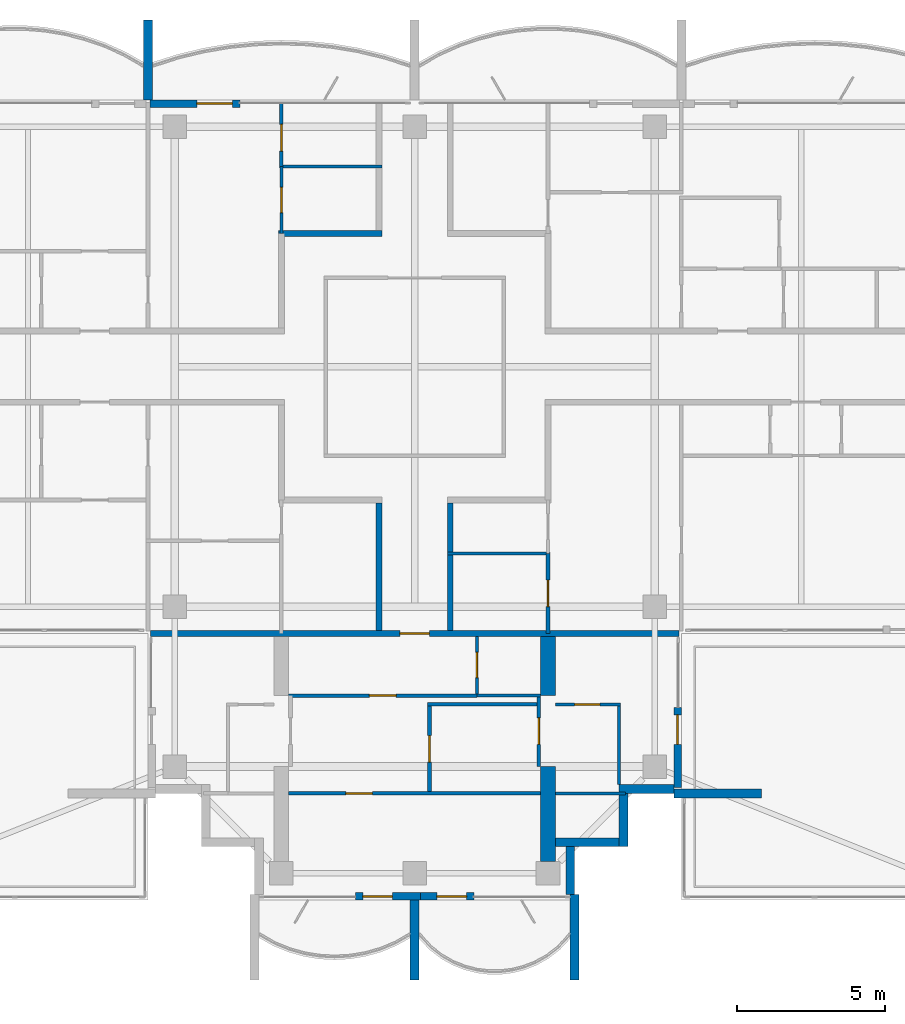
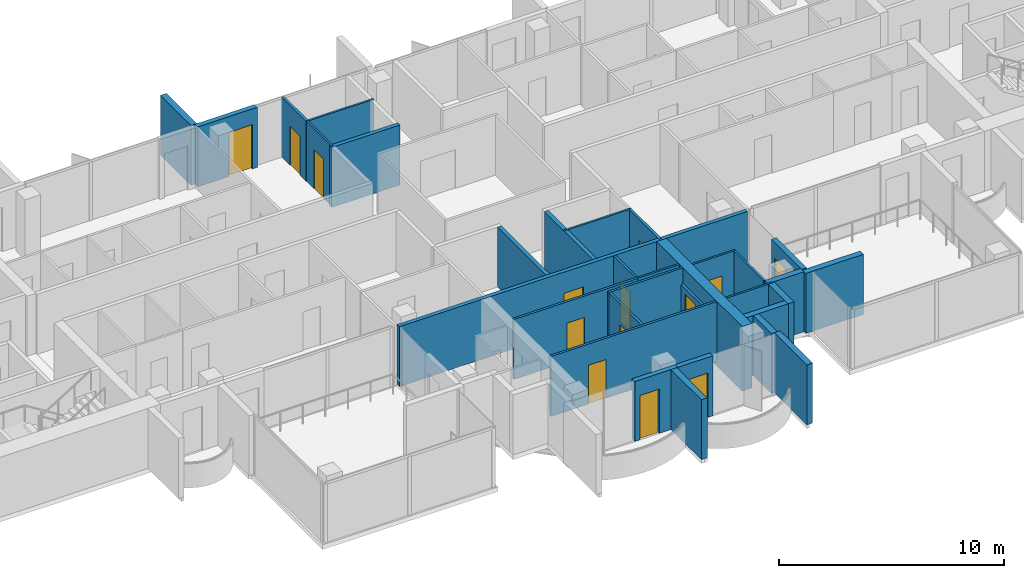
# One storey, part 9 of 16: 32 walls, 14 doors, 14 openings.
"""IFC4 building model written with IfcOpenShell, lengths in metres."""

from ifc_helpers import new_model, si_unit, direction, frame, frame_2d, origin, place, context, subcontext, project, spatial, polyline, rectangle, outline, extrude, material, layer, layer_set, material_profile, profile_set, type_object, element, fill, save


model = new_model("IFC4")

# Units and contexts
model_context = context("Model", 3, precision=1e-05, world=origin(), true_north=direction((0.0, 1.0)))
body_context = subcontext(model_context, "Body", "Model", "MODEL_VIEW")
ifc_project = project(units=[si_unit("LENGTHUNIT", "METRE"), si_unit("AREAUNIT", "SQUARE_METRE"), si_unit("VOLUMEUNIT", "CUBIC_METRE"), si_unit("PLANEANGLEUNIT", "RADIAN"), si_unit("MASSUNIT", "GRAM", prefix="KILO")], contexts=[model_context])

# Site, building, storey
site_placement = place(None, origin())
site = spatial("IfcSite", under=ifc_project, at=site_placement, CompositionType="ELEMENT")
building_placement = place(site_placement, origin())
building = spatial("IfcBuilding", under=site, at=building_placement, Name="Perihelion Cross Residences", CompositionType="ELEMENT")
storey_placement = place(building_placement, frame((0.0, 0.0, 274.5)))
storey = spatial("IfcBuildingStorey", under=building, at=storey_placement, Name="L70", CompositionType="ELEMENT", Elevation=274.5)

# Walls
ifc_material_1 = material(Name="Plasterboard partition")
ifc_layer_1 = layer(ifc_material_1, 0.199951171875)
ifc_layer_set_1 = layer_set([ifc_layer_1], Name="Apartment separation wall 200")
wall_type_1 = type_object("IfcWallType", Name="Apartment separation wall 200", PredefinedType="PARTITIONING", material=ifc_layer_set_1)
wall_1_placement = place(storey_placement, frame((1.199951171875, -4.60009765625, 0.0), z_axis=(0.0, 0.0, 1.0), x_axis=(0.0, -1.0, 0.0)))
element("IfcWall", 1, at=wall_1_placement, inside=storey, type_object=wall_type_1, Name="Partition L70 W012", PredefinedType="PARTITIONING", context=body_context, shape_type="SweptSolid", body=[
    extrude(rectangle(XDim=4.2998046875, YDim=0.199951171875, at=frame_2d((2.14990234375, 0.0))), origin(), (0.0, 0.0, 1.0), 3.25),
])
wall_2_placement = place(storey_placement, frame((-4.60009765625, 4.5, 0.0), z_axis=(0.0, 0.0, 1.0), x_axis=(1.0, 0.0, 0.0)))
element("IfcWall", 2, at=wall_2_placement, inside=storey, type_object=wall_type_1, Name="Partition L70 W015", PredefinedType="PARTITIONING", context=body_context, shape_type="SweptSolid", body=[
    extrude(rectangle(XDim=3.5, YDim=0.199951171875, at=frame_2d((1.75, 0.0))), origin(), (0.0, 0.0, 1.0), 3.25),
])
wall_3_placement = place(storey_placement, frame((-1.199951171875, -8.89990234375, 0.0), z_axis=(0.0, 0.0, 1.0), x_axis=(0.0, 1.0, 0.0)))
element("IfcWall", 3, at=wall_3_placement, inside=storey, type_object=wall_type_1, Name="Partition L70 W019", PredefinedType="PARTITIONING", context=body_context, shape_type="SweptSolid", body=[
    extrude(rectangle(XDim=4.2998046875, YDim=0.199951171875, at=frame_2d((2.14990234375, 0.0))), origin(), (0.0, 0.0, 1.0), 3.25),
])

# Wall, opening, door
wall_4_placement = place(storey_placement, frame((8.919921875, -9.0, 0.0), z_axis=(0.0, 0.0, 1.0), x_axis=(-1.0, 0.0, 0.0)))
wall_4 = element("IfcWall", 4, at=wall_4_placement, inside=storey, type_object=wall_type_1, Name="Partition L70 W021", PredefinedType="PARTITIONING", context=body_context, shape_type="SweptSolid", body=[
    extrude(rectangle(XDim=17.83984375, YDim=0.199951171875, at=frame_2d((8.919921875, 0.0))), origin(), (0.0, 0.0, 1.0), 3.25),
])
opening_1_placement = place(wall_4_placement, frame((8.419921875, 0.0, 0.0)))
opening_1 = element("IfcOpeningElement", 5, at=opening_1_placement, cuts=wall_4, Name="Opening L70.A35", PredefinedType="OPENING", context=body_context, shape_type="SweptSolid", body=[
    extrude(rectangle(XDim=1.0, YDim=2.10009765625, at=frame_2d((0.5, 1.050048828125))), frame((0.0, 0.10986328125, 0.0), z_axis=(0.0, -1.0, 0.0), x_axis=(1.0, 0.0, 0.0)), (0.0, 0.0, 1.0), 0.219970703125),
])
ifc_material_2 = material(Name="Timber door leaf", Category="wood")
door_type_1 = type_object("IfcDoorType", Name="Flat entrance door 1000 x 2100", OperationType="SINGLE_SWING_LEFT", PredefinedType="DOOR", material=ifc_material_2)
door_1_placement = place(opening_1_placement, origin())
door_1 = element("IfcDoor", 6, at=door_1_placement, inside=storey, type_object=door_type_1, Name="Door L70.A35", OperationType="SINGLE_SWING_LEFT", OverallHeight=2.10009765625, OverallWidth=1.0, PredefinedType="DOOR", context=body_context, shape_type="SweptSolid", body=[
    extrude(rectangle(XDim=1.0, YDim=2.10009765625, at=frame_2d((0.5, 1.050048828125))), frame((0.0, 0.02490234375, 0.0), z_axis=(0.0, -1.0, 0.0), x_axis=(1.0, 0.0, 0.0)), (0.0, 0.0, 1.0), 0.050048828125),
])
fill(opening_1, door_1)

ifc_material_3 = material(Name="Concrete C30/37, bronze-clad", Category="concrete")
ifc_layer_2 = layer(ifc_material_3, 0.25)
ifc_layer_set_2 = layer_set([ifc_layer_2], Name="Bronze-clad pier wall 250")
wall_type_2 = type_object("IfcWallType", Name="Bronze-clad pier wall 250", PredefinedType="SOLIDWALL", material=ifc_layer_set_2)
wall_5_placement = place(storey_placement, frame((-5.89990234375, 8.875, 0.0), z_axis=(0.0, 0.0, 1.0), x_axis=(-1.0, 0.0, 0.0)))
wall_5 = element("IfcWall", 7, at=wall_5_placement, inside=storey, type_object=wall_type_2, Name="Wall FW1 L70 north side east bay 2 pier", PredefinedType="SOLIDWALL", context=body_context, shape_type="SweptSolid", body=[
    extrude(rectangle(XDim=3.0400390625, YDim=0.25, at=frame_2d((1.52001953125, 0.0))), origin(), (0.0, 0.0, 1.0), 3.25),
])
opening_2_placement = place(wall_5_placement, frame((0.25, 0.0, 0.0)))
opening_2 = element("IfcOpeningElement", 8, at=opening_2_placement, cuts=wall_5, Name="Opening L70.E04", PredefinedType="OPENING", context=body_context, shape_type="SweptSolid", body=[
    extrude(rectangle(XDim=1.199951171875, YDim=2.39990234375, at=frame_2d((0.60009765625, 1.199951171875))), frame((0.0, 0.135009765625, 0.0), z_axis=(0.0, -1.0, 0.0), x_axis=(1.0, 0.0, 0.0)), (0.0, 0.0, 1.0), 0.27001953125),
])
ifc_material_4 = material(Name="Bronze anodised aluminium, glazed", Category="aluminium")
door_type_2 = type_object("IfcDoorType", Name="Balcony door 1200 x 2400", OperationType="NOTDEFINED", PredefinedType="DOOR", material=ifc_material_4)
door_2_placement = place(opening_2_placement, origin())
door_2 = element("IfcDoor", 9, at=door_2_placement, inside=storey, type_object=door_type_2, Name="Door L70.E04 north side east bay 2", OperationType="SINGLE_SWING_RIGHT", OverallHeight=2.39990234375, OverallWidth=1.199951171875, PredefinedType="DOOR", context=body_context, shape_type="SweptSolid", body=[
    extrude(rectangle(XDim=1.199951171875, YDim=2.39990234375, at=frame_2d((0.60009765625, 1.199951171875))), frame((0.0, 0.02490234375, 0.0), z_axis=(0.0, -1.0, 0.0), x_axis=(1.0, 0.0, 0.0)), (0.0, 0.0, 1.0), 0.050048828125),
])
fill(opening_2, door_2)

wall_6_placement = place(storey_placement, frame((-2.0, -17.875, 0.0), z_axis=(0.0, 0.0, 1.0), x_axis=(1.0, 0.0, 0.0)))
wall_6 = element("IfcWall", 10, at=wall_6_placement, inside=storey, type_object=wall_type_2, Name="Wall FW1 L70 south tip south bay 1 pier", PredefinedType="SOLIDWALL", context=body_context, shape_type="SweptSolid", body=[
    extrude(rectangle(XDim=2.199951171875, YDim=0.25, at=frame_2d((1.10009765625, 0.0))), origin(), (0.0, 0.0, 1.0), 3.25),
])
opening_3_placement = place(wall_6_placement, frame((0.25, 0.0, 0.0)))
opening_3 = element("IfcOpeningElement", 11, at=opening_3_placement, cuts=wall_6, Name="Opening L70.E10", PredefinedType="OPENING", context=body_context, shape_type="SweptSolid", body=[
    extrude(rectangle(XDim=1.0, YDim=2.39990234375, at=frame_2d((0.5, 1.199951171875))), frame((0.0, 0.135009765625, 0.0), z_axis=(0.0, -1.0, 0.0), x_axis=(1.0, 0.0, 0.0)), (0.0, 0.0, 1.0), 0.27001953125),
])
ifc_material_5 = material(Name="Bronze anodised aluminium, glazed", Category="aluminium")
door_type_3 = type_object("IfcDoorType", Name="Balcony door 1000 x 2400", OperationType="NOTDEFINED", PredefinedType="DOOR", material=ifc_material_5)
door_3_placement = place(opening_3_placement, origin())
door_3 = element("IfcDoor", 12, at=door_3_placement, inside=storey, type_object=door_type_3, Name="Door L70.E10 south tip south bay 1", OperationType="SINGLE_SWING_RIGHT", OverallHeight=2.39990234375, OverallWidth=1.0, PredefinedType="DOOR", context=body_context, shape_type="SweptSolid", body=[
    extrude(rectangle(XDim=1.0, YDim=2.39990234375, at=frame_2d((0.5, 1.199951171875))), frame((0.0, 0.02490234375, 0.0), z_axis=(0.0, -1.0, 0.0), x_axis=(1.0, 0.0, 0.0)), (0.0, 0.0, 1.0), 0.050048828125),
])
fill(opening_3, door_3)

wall_7_placement = place(storey_placement, frame((0.199951171875, -17.875, 0.0), z_axis=(0.0, 0.0, 1.0), x_axis=(1.0, 0.0, 0.0)))
wall_7 = element("IfcWall", 13, at=wall_7_placement, inside=storey, type_object=wall_type_2, Name="Wall FW1 L70 south tip south bay 2 pier", PredefinedType="SOLIDWALL", context=body_context, shape_type="SweptSolid", body=[
    extrude(rectangle(XDim=1.800048828125, YDim=0.25, at=frame_2d((0.89990234375, 0.0))), origin(), (0.0, 0.0, 1.0), 3.25),
])
opening_4_placement = place(wall_7_placement, frame((0.550048828125, 0.0, 0.0)))
opening_4 = element("IfcOpeningElement", 14, at=opening_4_placement, cuts=wall_7, Name="Opening L70.E11", PredefinedType="OPENING", context=body_context, shape_type="SweptSolid", body=[
    extrude(rectangle(XDim=1.0, YDim=2.39990234375, at=frame_2d((0.5, 1.199951171875))), frame((0.0, 0.135009765625, 0.0), z_axis=(0.0, -1.0, 0.0), x_axis=(1.0, 0.0, 0.0)), (0.0, 0.0, 1.0), 0.27001953125),
])
door_4_placement = place(opening_4_placement, origin())
door_4 = element("IfcDoor", 15, at=door_4_placement, inside=storey, type_object=door_type_3, Name="Door L70.E11 south tip south bay 2", OperationType="SINGLE_SWING_LEFT", OverallHeight=2.39990234375, OverallWidth=1.0, PredefinedType="DOOR", context=body_context, shape_type="SweptSolid", body=[
    extrude(rectangle(XDim=1.0, YDim=2.39990234375, at=frame_2d((0.5, 1.199951171875))), frame((0.0, 0.02490234375, 0.0), z_axis=(0.0, -1.0, 0.0), x_axis=(1.0, 0.0, 0.0)), (0.0, 0.0, 1.0), 0.050048828125),
])
fill(opening_4, door_4)

wall_8_placement = place(storey_placement, frame((8.875, -14.199951171875, 0.0), z_axis=(0.0, 0.0, 1.0), x_axis=(0.0, 1.0, 0.0)))
wall_8 = element("IfcWall", 16, at=wall_8_placement, inside=storey, type_object=wall_type_2, Name="Wall FW1 L70 south side east bay 1 pier", PredefinedType="SOLIDWALL", context=body_context, shape_type="SweptSolid", body=[
    extrude(rectangle(XDim=2.699951171875, YDim=0.25, at=frame_2d((1.35009765625, 0.0))), origin(), (0.0, 0.0, 1.0), 3.25),
])
opening_5_placement = place(wall_8_placement, frame((1.449951171875, 0.0, 0.0)))
opening_5 = element("IfcOpeningElement", 17, at=opening_5_placement, cuts=wall_8, Name="Opening L70.E12", PredefinedType="OPENING", context=body_context, shape_type="SweptSolid", body=[
    extrude(rectangle(XDim=1.0, YDim=2.39990234375, at=frame_2d((0.5, 1.199951171875))), frame((0.0, 0.135009765625, 0.0), z_axis=(0.0, -1.0, 0.0), x_axis=(1.0, 0.0, 0.0)), (0.0, 0.0, 1.0), 0.27001953125),
])
door_5_placement = place(opening_5_placement, origin())
door_5 = element("IfcDoor", 18, at=door_5_placement, inside=storey, type_object=door_type_3, Name="Door L70.E12 south side east bay 1", OperationType="SINGLE_SWING_RIGHT", OverallHeight=2.39990234375, OverallWidth=1.0, PredefinedType="DOOR", context=body_context, shape_type="SweptSolid", body=[
    extrude(rectangle(XDim=1.0, YDim=2.39990234375, at=frame_2d((0.5, 1.199951171875))), frame((0.0, 0.02490234375, 0.0), z_axis=(0.0, -1.0, 0.0), x_axis=(1.0, 0.0, 0.0)), (0.0, 0.0, 1.0), 0.050048828125),
])
fill(opening_5, door_5)

# Walls
ifc_material_6 = material(Name="Concrete C30/37, bronze-clad", Category="concrete")
ifc_layer_3 = layer(ifc_material_6, 0.300048828125)
ifc_layer_set_3 = layer_set([ifc_layer_3], Name="Bronze-clad serration wall 300")
wall_type_3 = type_object("IfcWallType", Name="Bronze-clad serration wall 300", PredefinedType="SOLIDWALL", material=ifc_layer_set_3)
wall_9_placement = place(storey_placement, frame((5.25, -17.820068359375, 0.0), z_axis=(0.0, 0.0, 1.0), x_axis=(0.0, 1.0, 0.0)))
element("IfcWall", 19, at=wall_9_placement, inside=storey, type_object=wall_type_3, Name="Wall SR1 L70 south corner south-east 1", PredefinedType="SOLIDWALL", context=body_context, shape_type="SweptSolid", body=[
    extrude(rectangle(XDim=1.6201171875, YDim=0.300048828125, at=frame_2d((0.81005859375, 0.0))), origin(), (0.0, 0.0, 1.0), 3.25),
])
wall_10_placement = place(storey_placement, frame((4.75, -16.050048828125, 0.0), z_axis=(0.0, 0.0, 1.0), x_axis=(1.0, 0.0, 0.0)))
element("IfcWall", 20, at=wall_10_placement, inside=storey, type_object=wall_type_3, Name="Wall SR1 L70 south corner south-east 2", PredefinedType="SOLIDWALL", context=body_context, shape_type="SweptSolid", body=[
    extrude(rectangle(XDim=2.14990234375, YDim=0.300048828125, at=frame_2d((1.074951171875, 0.0))), origin(), (0.0, 0.0, 1.0), 3.25),
])
wall_11_placement = place(storey_placement, frame((7.050048828125, -16.199951171875, 0.0), z_axis=(0.0, 0.0, 1.0), x_axis=(0.0, 1.0, 0.0)))
element("IfcWall", 21, at=wall_11_placement, inside=storey, type_object=wall_type_3, Name="Wall SR1 L70 south corner south-east 3", PredefinedType="SOLIDWALL", context=body_context, shape_type="SweptSolid", body=[
    extrude(rectangle(XDim=1.800048828125, YDim=0.300048828125, at=frame_2d((0.89990234375, 0.0))), origin(), (0.0, 0.0, 1.0), 3.25),
])
wall_12_placement = place(storey_placement, frame((6.89990234375, -14.25, 0.0), z_axis=(0.0, 0.0, 1.0), x_axis=(1.0, 0.0, 0.0)))
element("IfcWall", 22, at=wall_12_placement, inside=storey, type_object=wall_type_3, Name="Wall SR1 L70 south corner south-east 4", PredefinedType="SOLIDWALL", context=body_context, shape_type="SweptSolid", body=[
    extrude(rectangle(XDim=1.85009765625, YDim=0.300048828125, at=frame_2d((0.925048828125, 0.0))), origin(), (0.0, 0.0, 1.0), 3.25),
])

# Wall, opening, door
ifc_material_7 = material(Name="Plasterboard partition")
ifc_layer_4 = layer(ifc_material_7, 0.1201171875)
ifc_layer_set_4 = layer_set([ifc_layer_4], Name="Infill panel 120")
wall_type_4 = type_object("IfcWallType", Name="Infill panel 120", PredefinedType="PARTITIONING", material=ifc_layer_set_4)
wall_13_placement = place(storey_placement, frame((4.18994140625, -11.10009765625, 0.0), z_axis=(0.0, 0.0, 1.0), x_axis=(0.0, -1.0, 0.0)))
wall_13 = element("IfcWall", 23, at=wall_13_placement, inside=storey, type_object=wall_type_4, Name="Partition L70 WI01", PredefinedType="PARTITIONING", context=body_context, shape_type="SweptSolid", body=[
    extrude(rectangle(XDim=2.39990234375, YDim=0.1201171875, at=frame_2d((1.199951171875, 0.0))), origin(), (0.0, 0.0, 1.0), 2.39990234375),
])
opening_6_placement = place(wall_13_placement, frame((0.75, 0.0, 0.0)))
opening_6 = element("IfcOpeningElement", 24, at=opening_6_placement, cuts=wall_13, Name="Opening L70.A46", PredefinedType="OPENING", context=body_context, shape_type="SweptSolid", body=[
    extrude(rectangle(XDim=0.89990234375, YDim=2.10009765625, at=frame_2d((0.449951171875, 1.050048828125))), frame((0.0, 0.070068359375, 0.0), z_axis=(0.0, -1.0, 0.0), x_axis=(1.0, 0.0, 0.0)), (0.0, 0.0, 1.0), 0.14013671875),
])
ifc_material_8 = material(Name="Timber door leaf", Category="wood")
door_type_4 = type_object("IfcDoorType", Name="Interior room door 900 x 2100", OperationType="SINGLE_SWING_LEFT", PredefinedType="DOOR", material=ifc_material_8)
door_6_placement = place(opening_6_placement, origin())
door_6 = element("IfcDoor", 25, at=door_6_placement, inside=storey, type_object=door_type_4, Name="Door L70.A46", OperationType="SINGLE_SWING_LEFT", OverallHeight=2.10009765625, OverallWidth=0.89990234375, PredefinedType="DOOR", context=body_context, shape_type="SweptSolid", body=[
    extrude(rectangle(XDim=0.89990234375, YDim=2.10009765625, at=frame_2d((0.449951171875, 1.050048828125))), frame((0.0, 0.02490234375, 0.0), z_axis=(0.0, -1.0, 0.0), x_axis=(1.0, 0.0, 0.0)), (0.0, 0.0, 1.0), 0.050048828125),
])
fill(opening_6, door_6)

ifc_material_9 = material(Name="Plasterboard partition")
ifc_layer_5 = layer(ifc_material_9, 0.1201171875)
ifc_layer_set_5 = layer_set([ifc_layer_5], Name="Partition wall 120")
wall_type_5 = type_object("IfcWallType", Name="Partition wall 120", PredefinedType="PARTITIONING", material=ifc_layer_set_5)
wall_14_placement = place(storey_placement, frame((4.5, -9.0, 0.0), z_axis=(0.0, 0.0, 1.0), x_axis=(0.0, 1.0, 0.0)))
wall_14 = element("IfcWall", 26, at=wall_14_placement, inside=storey, type_object=wall_type_5, Name="Partition L70 W044", PredefinedType="PARTITIONING", context=body_context, shape_type="SweptSolid", body=[
    extrude(rectangle(XDim=2.699951171875, YDim=0.1201171875, at=frame_2d((1.35009765625, 0.0))), origin(), (0.0, 0.0, 1.0), 3.25),
])
opening_7_placement = place(wall_14_placement, frame((0.89990234375, 0.0, 0.0)))
opening_7 = element("IfcOpeningElement", 27, at=opening_7_placement, cuts=wall_14, Name="Opening L70.A15", PredefinedType="OPENING", context=body_context, shape_type="SweptSolid", body=[
    extrude(rectangle(XDim=0.89990234375, YDim=2.10009765625, at=frame_2d((0.449951171875, 1.050048828125))), frame((0.0, 0.070068359375, 0.0), z_axis=(0.0, -1.0, 0.0), x_axis=(1.0, 0.0, 0.0)), (0.0, 0.0, 1.0), 0.14013671875),
])
door_7_placement = place(opening_7_placement, origin())
door_7 = element("IfcDoor", 28, at=door_7_placement, inside=storey, type_object=door_type_4, Name="Door L70.A15", OperationType="SINGLE_SWING_RIGHT", OverallHeight=2.10009765625, OverallWidth=0.89990234375, PredefinedType="DOOR", context=body_context, shape_type="SweptSolid", body=[
    extrude(rectangle(XDim=0.89990234375, YDim=2.10009765625, at=frame_2d((0.449951171875, 1.050048828125))), frame((0.0, 0.02490234375, 0.0), z_axis=(0.0, -1.0, 0.0), x_axis=(1.0, 0.0, 0.0)), (0.0, 0.0, 1.0), 0.050048828125),
])
fill(opening_7, door_7)

wall_15_placement = place(storey_placement, frame((-4.5, 8.919921875, 0.0), z_axis=(0.0, 0.0, 1.0), x_axis=(0.0, -1.0, 0.0)))
wall_15 = element("IfcWall", 29, at=wall_15_placement, inside=storey, type_object=wall_type_5, Name="Partition L70 W055", PredefinedType="PARTITIONING", context=body_context, shape_type="SweptSolid", body=[
    extrude(rectangle(XDim=2.169921875, YDim=0.1201171875, at=frame_2d((1.0849609375, 0.0))), origin(), (0.0, 0.0, 1.0), 3.25),
])
opening_8_placement = place(wall_15_placement, frame((0.7451171875, 0.0, 0.0)))
opening_8 = element("IfcOpeningElement", 30, at=opening_8_placement, cuts=wall_15, Name="Opening L70.A23", PredefinedType="OPENING", context=body_context, shape_type="SweptSolid", body=[
    extrude(rectangle(XDim=0.89990234375, YDim=2.10009765625, at=frame_2d((0.449951171875, 1.050048828125))), frame((0.0, 0.070068359375, 0.0), z_axis=(0.0, -1.0, 0.0), x_axis=(1.0, 0.0, 0.0)), (0.0, 0.0, 1.0), 0.14013671875),
])
door_8_placement = place(opening_8_placement, origin())
door_8 = element("IfcDoor", 31, at=door_8_placement, inside=storey, type_object=door_type_4, Name="Door L70.A23", OperationType="SINGLE_SWING_LEFT", OverallHeight=2.10009765625, OverallWidth=0.89990234375, PredefinedType="DOOR", context=body_context, shape_type="SweptSolid", body=[
    extrude(rectangle(XDim=0.89990234375, YDim=2.10009765625, at=frame_2d((0.449951171875, 1.050048828125))), frame((0.0, 0.02490234375, 0.0), z_axis=(0.0, -1.0, 0.0), x_axis=(1.0, 0.0, 0.0)), (0.0, 0.0, 1.0), 0.050048828125),
])
fill(opening_8, door_8)

wall_16_placement = place(storey_placement, frame((2.10009765625, -11.10009765625, 0.0), z_axis=(0.0, 0.0, 1.0), x_axis=(-1.0, 0.0, 0.0)))
wall_16 = element("IfcWall", 32, at=wall_16_placement, inside=storey, type_object=wall_type_5, Name="Partition L70 W068", PredefinedType="PARTITIONING", context=body_context, shape_type="SweptSolid", body=[
    extrude(rectangle(XDim=6.35009765625, YDim=0.1201171875, at=frame_2d((3.175048828125, 0.0))), origin(), (0.0, 0.0, 1.0), 3.25),
])
opening_9_placement = place(wall_16_placement, frame((2.72509765625, 0.0, 0.0)))
opening_9 = element("IfcOpeningElement", 33, at=opening_9_placement, cuts=wall_16, Name="Opening L70.A37", PredefinedType="OPENING", context=body_context, shape_type="SweptSolid", body=[
    extrude(rectangle(XDim=0.89990234375, YDim=2.10009765625, at=frame_2d((0.449951171875, 1.050048828125))), frame((0.0, 0.070068359375, 0.0), z_axis=(0.0, -1.0, 0.0), x_axis=(1.0, 0.0, 0.0)), (0.0, 0.0, 1.0), 0.14013671875),
])
door_9_placement = place(opening_9_placement, origin())
door_9 = element("IfcDoor", 34, at=door_9_placement, inside=storey, type_object=door_type_4, Name="Door L70.A37", OperationType="SINGLE_SWING_LEFT", OverallHeight=2.10009765625, OverallWidth=0.89990234375, PredefinedType="DOOR", context=body_context, shape_type="SweptSolid", body=[
    extrude(rectangle(XDim=0.89990234375, YDim=2.10009765625, at=frame_2d((0.449951171875, 1.050048828125))), frame((0.0, 0.02490234375, 0.0), z_axis=(0.0, -1.0, 0.0), x_axis=(1.0, 0.0, 0.0)), (0.0, 0.0, 1.0), 0.050048828125),
])
fill(opening_9, door_9)

# Wall
wall_17_placement = place(storey_placement, frame((4.25, -11.39990234375, 0.0), z_axis=(0.0, 0.0, 1.0), x_axis=(-1.0, 0.0, 0.0)))
element("IfcWall", 35, at=wall_17_placement, inside=storey, type_object=wall_type_5, Name="Partition L70 W070", PredefinedType="PARTITIONING", context=body_context, shape_type="SweptSolid", body=[
    extrude(rectangle(XDim=3.81005859375, YDim=0.1201171875, at=frame_2d((1.905029296875, 0.0))), origin(), (0.0, 0.0, 1.0), 3.25),
])

# Wall, opening, door
wall_18_placement = place(storey_placement, frame((0.5, -11.4599609375, 0.0), z_axis=(0.0, 0.0, 1.0), x_axis=(0.0, -1.0, 0.0)))
wall_18 = element("IfcWall", 36, at=wall_18_placement, inside=storey, type_object=wall_type_5, Name="Partition L70 W071", PredefinedType="PARTITIONING", context=body_context, shape_type="SweptSolid", body=[
    extrude(rectangle(XDim=2.880126953125, YDim=0.1201171875, at=frame_2d((1.43994140625, 0.0))), origin(), (0.0, 0.0, 1.0), 3.25),
])
opening_10_placement = place(wall_18_placement, frame((0.989990234375, 0.0, 0.0)))
opening_10 = element("IfcOpeningElement", 37, at=opening_10_placement, cuts=wall_18, Name="Opening L70.A38", PredefinedType="OPENING", context=body_context, shape_type="SweptSolid", body=[
    extrude(rectangle(XDim=0.89990234375, YDim=2.10009765625, at=frame_2d((0.449951171875, 1.050048828125))), frame((0.0, 0.070068359375, 0.0), z_axis=(0.0, -1.0, 0.0), x_axis=(1.0, 0.0, 0.0)), (0.0, 0.0, 1.0), 0.14013671875),
])
door_10_placement = place(opening_10_placement, origin())
door_10 = element("IfcDoor", 38, at=door_10_placement, inside=storey, type_object=door_type_4, Name="Door L70.A38", OperationType="SINGLE_SWING_LEFT", OverallHeight=2.10009765625, OverallWidth=0.89990234375, PredefinedType="DOOR", context=body_context, shape_type="SweptSolid", body=[
    extrude(rectangle(XDim=0.89990234375, YDim=2.10009765625, at=frame_2d((0.449951171875, 1.050048828125))), frame((0.0, 0.02490234375, 0.0), z_axis=(0.0, -1.0, 0.0), x_axis=(1.0, 0.0, 0.0)), (0.0, 0.0, 1.0), 0.050048828125),
])
fill(opening_10, door_10)

wall_19_placement = place(storey_placement, frame((4.25, -14.39990234375, 0.0), z_axis=(0.0, 0.0, 1.0), x_axis=(-1.0, 0.0, 0.0)))
wall_19 = element("IfcWall", 39, at=wall_19_placement, inside=storey, type_object=wall_type_5, Name="Partition L70 W072", PredefinedType="PARTITIONING", context=body_context, shape_type="SweptSolid", body=[
    extrude(rectangle(XDim=8.5, YDim=0.1201171875, at=frame_2d((4.25, 0.0))), origin(), (0.0, 0.0, 1.0), 3.25),
])
opening_11_placement = place(wall_19_placement, frame((5.675048828125, 0.0, 0.0)))
opening_11 = element("IfcOpeningElement", 40, at=opening_11_placement, cuts=wall_19, Name="Opening L70.A39", PredefinedType="OPENING", context=body_context, shape_type="SweptSolid", body=[
    extrude(rectangle(XDim=0.89990234375, YDim=2.10009765625, at=frame_2d((0.449951171875, 1.050048828125))), frame((0.0, 0.070068359375, 0.0), z_axis=(0.0, -1.0, 0.0), x_axis=(1.0, 0.0, 0.0)), (0.0, 0.0, 1.0), 0.14013671875),
])
door_11_placement = place(opening_11_placement, origin())
door_11 = element("IfcDoor", 41, at=door_11_placement, inside=storey, type_object=door_type_4, Name="Door L70.A39", OperationType="SINGLE_SWING_LEFT", OverallHeight=2.10009765625, OverallWidth=0.89990234375, PredefinedType="DOOR", context=body_context, shape_type="SweptSolid", body=[
    extrude(rectangle(XDim=0.89990234375, YDim=2.10009765625, at=frame_2d((0.449951171875, 1.050048828125))), frame((0.0, 0.02490234375, 0.0), z_axis=(0.0, -1.0, 0.0), x_axis=(1.0, 0.0, 0.0)), (0.0, 0.0, 1.0), 0.050048828125),
])
fill(opening_11, door_11)

# Walls
ifc_material_10 = material(Name="Precast concrete C50/60", Category="concrete")
ifc_layer_6 = layer(ifc_material_10, 0.300048828125)
ifc_layer_set_6 = layer_set([ifc_layer_6], Name="Precast concrete C50/60 blade wall 300")
wall_type_6 = type_object("IfcWallType", Name="Precast concrete C50/60 blade wall 300", PredefinedType="SOLIDWALL", material=ifc_layer_set_6)
for number, where, z_axis, x_axis, name in (
    (42, (-9.0, 9.0, 0.0), (0.0, 0.0, 1.0), (0.0, 1.0, 0.0), "Wall BL1 L70 no. 7"),
    (43, (0.0, -18.0, 0.0), (0.0, 0.0, 1.0), (0.0, -1.0, 0.0), "Wall BL1 L70 no. 8"),
):
    element("IfcWall", number, at=place(storey_placement, frame(where, z_axis=z_axis, x_axis=x_axis)), inside=storey, type_object=wall_type_6, Name=name, PredefinedType="SOLIDWALL", context=body_context, shape_type="SweptSolid", body=[
        extrude(rectangle(XDim=2.699951171875, YDim=0.300048828125, at=frame_2d((1.35009765625, 0.0))), origin(), (0.0, 0.0, 1.0), 3.25),
    ])
wall_20_placement = place(storey_placement, frame((5.39990234375, -17.820068359375, 0.0), z_axis=(0.0, 0.0, 1.0), x_axis=(0.0, -1.0, 0.0)))
element("IfcWall", 44, at=wall_20_placement, inside=storey, type_object=wall_type_6, Name="Wall BL1 L70 no. 14", PredefinedType="SOLIDWALL", context=body_context, shape_type="SweptSolid", body=[
    extrude(rectangle(XDim=2.8798828125, YDim=0.300048828125, at=frame_2d((1.43994140625, 0.0))), origin(), (0.0, 0.0, 1.0), 3.25),
])
wall_21_placement = place(storey_placement, frame((8.75, -14.39990234375, 0.0), z_axis=(0.0, 0.0, 1.0), x_axis=(1.0, 0.0, 0.0)))
element("IfcWall", 45, at=wall_21_placement, inside=storey, type_object=wall_type_6, Name="Wall BL1 L70 no. 15", PredefinedType="SOLIDWALL", context=body_context, shape_type="SweptSolid", body=[
    extrude(rectangle(XDim=2.949951171875, YDim=0.300048828125, at=frame_2d((1.47509765625, 0.0))), origin(), (0.0, 0.0, 1.0), 3.25),
])
ifc_material_11 = material(Name="Concrete C50/60", Category="concrete")
ifc_material_profile = material_profile(ifc_material_11, outline(polyline([(0.0, 0.0), (3.199951171875, 0.0), (3.199951171875, 2.64990234375), (5.60009765625, 2.64990234375), (5.60009765625, 0.0), (7.699951171875, 0.0), (7.699951171875, 3.5), (0.0, 3.5), (0.0, 0.0)])), Name="Tip spine wall")
ifc_profile_set = profile_set([ifc_material_profile], Name="Concrete C50/60")
wall_type_7 = type_object("IfcWallType", Name="Tip spine wall 500 with 1 door openings 7700 long 3500 high concrete C50/60", PredefinedType="SHEAR", material=ifc_profile_set)
wall_22_placement = place(storey_placement, frame((4.25, -16.699951171875, -0.25), z_axis=(1.0, 0.0, 0.0), x_axis=(0.0, 1.0, 0.0)))
element("IfcWall", 46, at=wall_22_placement, inside=storey, type_object=wall_type_7, Name="Shear wall SW45 L70 south east", PredefinedType="SHEAR", context=body_context, shape_type="SweptSolid", body=[
    extrude(outline(polyline([(0.0, 0.0), (3.199951171875, 0.0), (3.199951171875, 2.64990234375), (5.60009765625, 2.64990234375), (5.60009765625, 0.0), (7.699951171875, 0.0), (7.699951171875, 3.5), (0.0, 3.5), (0.0, 0.0)])), origin(), (0.0, 0.0, 1.0), 0.5),
])
ifc_material_12 = material(Name="Plasterboard partition")
ifc_layer_7 = layer(ifc_material_12, 0.10009765625)
ifc_layer_set_7 = layer_set([ifc_layer_7], Name="Wet room wall 100")
wall_type_8 = type_object("IfcWallType", Name="Wet room wall 100", PredefinedType="PARTITIONING", material=ifc_layer_set_7)
wall_23_placement = place(storey_placement, frame((4.56005859375, -6.300048828125, 0.0), z_axis=(0.0, 0.0, 1.0), x_axis=(-1.0, 0.0, 0.0)))
element("IfcWall", 47, at=wall_23_placement, inside=storey, type_object=wall_type_8, Name="Partition L70 W045", PredefinedType="PARTITIONING", context=body_context, shape_type="SweptSolid", body=[
    extrude(rectangle(XDim=3.4599609375, YDim=0.10009765625, at=frame_2d((1.72998046875, 0.0))), origin(), (0.0, 0.0, 1.0), 3.25),
])

# Wall, opening, door
wall_24_placement = place(storey_placement, frame((-4.5, 6.75, 0.0), z_axis=(0.0, 0.0, 1.0), x_axis=(0.0, -1.0, 0.0)))
wall_24 = element("IfcWall", 48, at=wall_24_placement, inside=storey, type_object=wall_type_8, Name="Partition L70 W054", PredefinedType="PARTITIONING", context=body_context, shape_type="SweptSolid", body=[
    extrude(rectangle(XDim=2.25, YDim=0.10009765625, at=frame_2d((1.125, 0.0))), origin(), (0.0, 0.0, 1.0), 3.25),
])
opening_12_placement = place(wall_24_placement, frame((0.699951171875, 0.0, 0.0)))
opening_12 = element("IfcOpeningElement", 49, at=opening_12_placement, cuts=wall_24, Name="Opening L70.A25", PredefinedType="OPENING", context=body_context, shape_type="SweptSolid", body=[
    extrude(rectangle(XDim=0.85009765625, YDim=2.10009765625, at=frame_2d((0.425048828125, 1.050048828125))), frame((0.0, 0.06005859375, 0.0), z_axis=(0.0, -1.0, 0.0), x_axis=(1.0, 0.0, 0.0)), (0.0, 0.0, 1.0), 0.1201171875),
])
ifc_material_13 = material(Name="Timber door leaf", Category="wood")
door_type_5 = type_object("IfcDoorType", Name="Interior bathroom door 850 x 2100", OperationType="SINGLE_SWING_LEFT", PredefinedType="DOOR", material=ifc_material_13)
door_12_placement = place(opening_12_placement, origin())
door_12 = element("IfcDoor", 50, at=door_12_placement, inside=storey, type_object=door_type_5, Name="Door L70.A25", OperationType="SINGLE_SWING_LEFT", OverallHeight=2.10009765625, OverallWidth=0.85009765625, PredefinedType="DOOR", context=body_context, shape_type="SweptSolid", body=[
    extrude(rectangle(XDim=0.85009765625, YDim=2.10009765625, at=frame_2d((0.425048828125, 1.050048828125))), frame((0.0, 0.02490234375, 0.0), z_axis=(0.0, -1.0, 0.0), x_axis=(1.0, 0.0, 0.0)), (0.0, 0.0, 1.0), 0.050048828125),
])
fill(opening_12, door_12)

# Wall
wall_25_placement = place(storey_placement, frame((-4.56005859375, 6.75, 0.0), z_axis=(0.0, 0.0, 1.0), x_axis=(1.0, 0.0, 0.0)))
element("IfcWall", 51, at=wall_25_placement, inside=storey, type_object=wall_type_8, Name="Partition L70 W056", PredefinedType="PARTITIONING", context=body_context, shape_type="SweptSolid", body=[
    extrude(rectangle(XDim=3.4599609375, YDim=0.10009765625, at=frame_2d((1.72998046875, 0.0))), origin(), (0.0, 0.0, 1.0), 3.25),
])

# Wall, opening, door
wall_26_placement = place(storey_placement, frame((2.10009765625, -9.10009765625, 0.0), z_axis=(0.0, 0.0, 1.0), x_axis=(0.0, -1.0, 0.0)))
wall_26 = element("IfcWall", 52, at=wall_26_placement, inside=storey, type_object=wall_type_8, Name="Partition L70 W067", PredefinedType="PARTITIONING", context=body_context, shape_type="SweptSolid", body=[
    extrude(rectangle(XDim=1.93994140625, YDim=0.10009765625, at=frame_2d((0.969970703125, 0.0))), origin(), (0.0, 0.0, 1.0), 3.25),
])
opening_13_placement = place(wall_26_placement, frame((0.544921875, 0.0, 0.0)))
opening_13 = element("IfcOpeningElement", 53, at=opening_13_placement, cuts=wall_26, Name="Opening L70.A36", PredefinedType="OPENING", context=body_context, shape_type="SweptSolid", body=[
    extrude(rectangle(XDim=0.85009765625, YDim=2.10009765625, at=frame_2d((0.425048828125, 1.050048828125))), frame((0.0, 0.06005859375, 0.0), z_axis=(0.0, -1.0, 0.0), x_axis=(1.0, 0.0, 0.0)), (0.0, 0.0, 1.0), 0.1201171875),
])
door_13_placement = place(opening_13_placement, origin())
door_13 = element("IfcDoor", 54, at=door_13_placement, inside=storey, type_object=door_type_5, Name="Door L70.A36", OperationType="SINGLE_SWING_RIGHT", OverallHeight=2.10009765625, OverallWidth=0.85009765625, PredefinedType="DOOR", context=body_context, shape_type="SweptSolid", body=[
    extrude(rectangle(XDim=0.85009765625, YDim=2.10009765625, at=frame_2d((0.425048828125, 1.050048828125))), frame((0.0, 0.02490234375, 0.0), z_axis=(0.0, -1.0, 0.0), x_axis=(1.0, 0.0, 0.0)), (0.0, 0.0, 1.0), 0.050048828125),
])
fill(opening_13, door_13)

# Walls
wall_27_placement = place(storey_placement, frame((4.25, -11.10009765625, 0.0), z_axis=(0.0, 0.0, 1.0), x_axis=(-1.0, 0.0, 0.0)))
element("IfcWall", 55, at=wall_27_placement, inside=storey, type_object=wall_type_8, Name="Partition L70 W069", PredefinedType="PARTITIONING", context=body_context, shape_type="SweptSolid", body=[
    extrude(rectangle(XDim=2.14990234375, YDim=0.10009765625, at=frame_2d((1.074951171875, 0.0))), origin(), (0.0, 0.0, 1.0), 3.25),
])
wall_28_placement = place(storey_placement, frame((6.89990234375, -14.10009765625, 0.0), z_axis=(0.0, 0.0, 1.0), x_axis=(0.0, 1.0, 0.0)))
element("IfcWall", 56, at=wall_28_placement, inside=storey, type_object=wall_type_8, Name="Partition L70 W073", PredefinedType="PARTITIONING", context=body_context, shape_type="SweptSolid", body=[
    extrude(rectangle(XDim=2.650146484375, YDim=0.10009765625, at=frame_2d((1.3251953125, 0.0))), origin(), (0.0, 0.0, 1.0), 3.25),
])

# Wall, opening, door
wall_29_placement = place(storey_placement, frame((6.949951171875, -11.39990234375, 0.0), z_axis=(0.0, 0.0, 1.0), x_axis=(-1.0, 0.0, 0.0)))
wall_29 = element("IfcWall", 57, at=wall_29_placement, inside=storey, type_object=wall_type_8, Name="Partition L70 W074", PredefinedType="PARTITIONING", context=body_context, shape_type="SweptSolid", body=[
    extrude(rectangle(XDim=2.199951171875, YDim=0.10009765625, at=frame_2d((1.10009765625, 0.0))), origin(), (0.0, 0.0, 1.0), 3.25),
])
opening_14_placement = place(wall_29_placement, frame((0.699951171875, 0.0, 0.0)))
opening_14 = element("IfcOpeningElement", 58, at=opening_14_placement, cuts=wall_29, Name="Opening L70.A40", PredefinedType="OPENING", context=body_context, shape_type="SweptSolid", body=[
    extrude(rectangle(XDim=0.85009765625, YDim=2.10009765625, at=frame_2d((0.425048828125, 1.050048828125))), frame((0.0, 0.06005859375, 0.0), z_axis=(0.0, -1.0, 0.0), x_axis=(1.0, 0.0, 0.0)), (0.0, 0.0, 1.0), 0.1201171875),
])
door_14_placement = place(opening_14_placement, origin())
door_14 = element("IfcDoor", 59, at=door_14_placement, inside=storey, type_object=door_type_5, Name="Door L70.A40", OperationType="SINGLE_SWING_RIGHT", OverallHeight=2.10009765625, OverallWidth=0.85009765625, PredefinedType="DOOR", context=body_context, shape_type="SweptSolid", body=[
    extrude(rectangle(XDim=0.85009765625, YDim=2.10009765625, at=frame_2d((0.425048828125, 1.050048828125))), frame((0.0, 0.02490234375, 0.0), z_axis=(0.0, -1.0, 0.0), x_axis=(1.0, 0.0, 0.0)), (0.0, 0.0, 1.0), 0.050048828125),
])
fill(opening_14, door_14)

# Wall
wall_30_placement = place(storey_placement, frame((7.1201171875, -14.39990234375, 0.0), z_axis=(0.0, 0.0, 1.0), x_axis=(-1.0, 0.0, 0.0)))
element("IfcWall", 60, at=wall_30_placement, inside=storey, type_object=wall_type_8, Name="Partition L70 W075", PredefinedType="PARTITIONING", context=body_context, shape_type="SweptSolid", body=[
    extrude(rectangle(XDim=2.3701171875, YDim=0.10009765625, at=frame_2d((1.18505859375, 0.0))), origin(), (0.0, 0.0, 1.0), 3.25),
])

save(model, "model.ifc")
